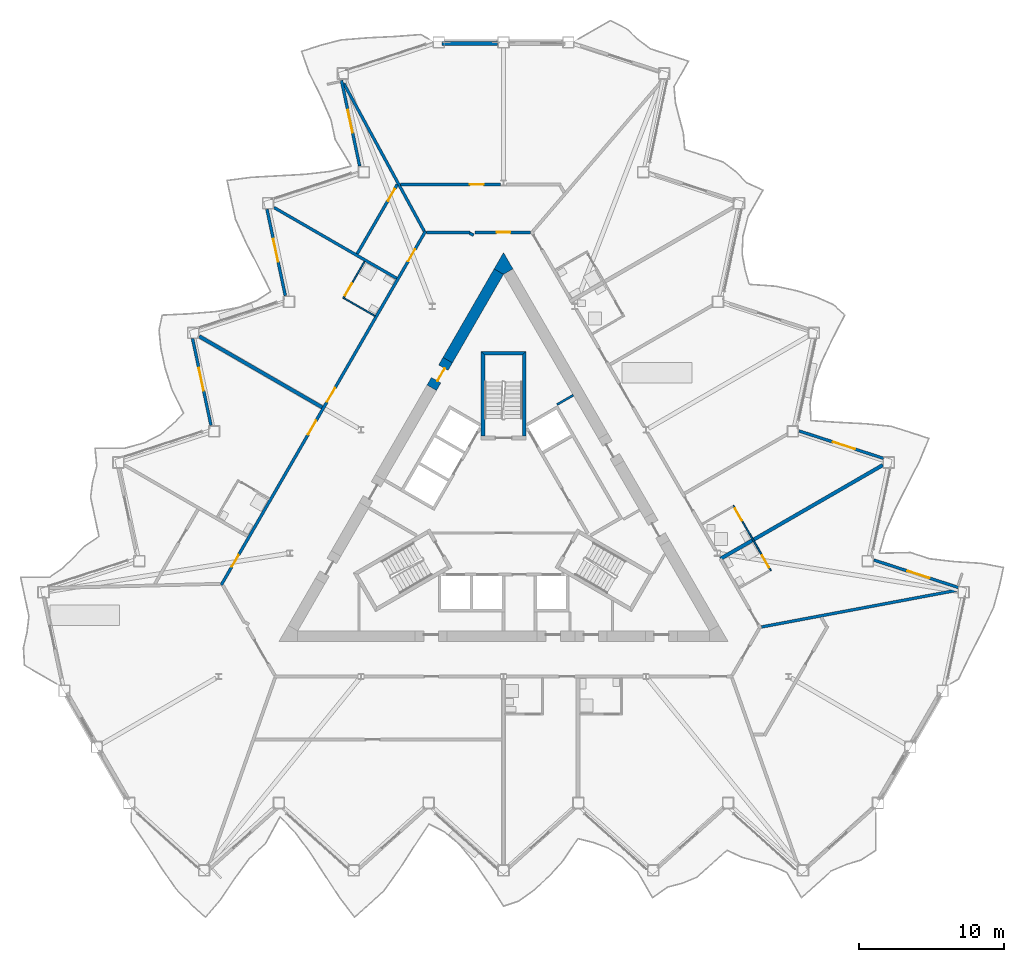
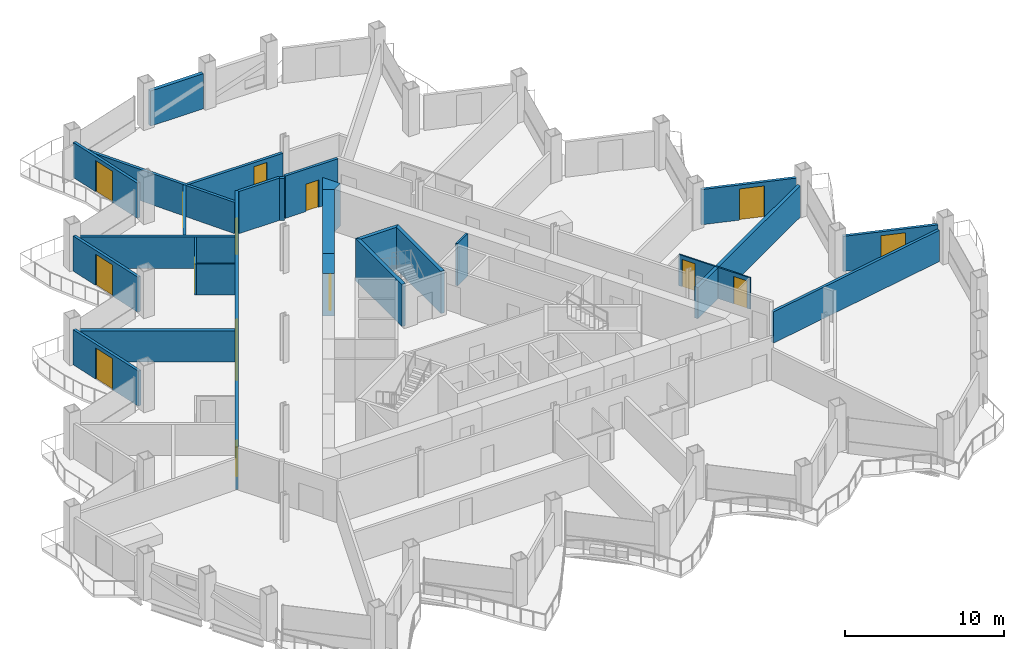
# One storey, part 13 of 22: 27 walls, 16 doors, 16 openings.
"""IFC4 building model written with IfcOpenShell, lengths in metres."""

from ifc_helpers import new_model, si_unit, direction, frame, frame_2d, origin, place, context, subcontext, project, spatial, polyline, rectangle, outline, extrude, material, layer, layer_set, type_object, element, fill, save


model = new_model("IFC4")

# Units and contexts
model_context = context("Model", 3, precision=1e-05, world=origin(), true_north=direction((0.0, 1.0)))
body_context = subcontext(model_context, "Body", "Model", "MODEL_VIEW")
ifc_project = project(units=[si_unit("LENGTHUNIT", "METRE"), si_unit("AREAUNIT", "SQUARE_METRE"), si_unit("VOLUMEUNIT", "CUBIC_METRE"), si_unit("PLANEANGLEUNIT", "RADIAN"), si_unit("MASSUNIT", "GRAM", prefix="KILO")], contexts=[model_context])

# Site, building, storey
site_placement = place(None, origin())
site = spatial("IfcSite", under=ifc_project, at=site_placement, CompositionType="ELEMENT")
building_placement = place(site_placement, origin())
building = spatial("IfcBuilding", under=site, at=building_placement, Name="Cormorant Prow Tower", CompositionType="ELEMENT")
storey_placement = place(building_placement, frame((0.0, 0.0, 198.0)))
storey = spatial("IfcBuildingStorey", under=building, at=storey_placement, Name="L43", CompositionType="ELEMENT", Elevation=198.0)

# Walls
ifc_material_1 = material(Name="Gypsum board partition")
ifc_layer_1 = layer(ifc_material_1, 0.14990234375)
ifc_layer_set_1 = layer_set([ifc_layer_1], Name="Gypsum board partition")
wall_type_1 = type_object("IfcWallType", Name="Core partition 150", PredefinedType="PARTITIONING", material=ifc_layer_set_1)
wall_1_placement = place(storey_placement, frame((3.693359375, 7.4150390625, 0.0), z_axis=(0.0, 0.0, 1.0), x_axis=(0.866003189247, 0.500038474733, 0.0)))
element("IfcWall", 1, at=wall_1_placement, inside=storey, type_object=wall_type_1, Name="Service room partition", PredefinedType="PARTITIONING", context=body_context, shape_type="SweptSolid", body=[
    extrude(rectangle(XDim=1.29296875, YDim=0.14990234375, at=frame_2d((0.646484375, 0.0))), origin(), (0.0, 0.0, 1.0), 3.25),
])
ifc_material_2 = material(Name="Concrete 8000 psi", Category="concrete")
ifc_layer_2 = layer(ifc_material_2, 0.75)
ifc_layer_set_2 = layer_set([ifc_layer_2], Name="Concrete 8000 psi")
wall_type_2 = type_object("IfcWallType", Name="Core shear wall 750", PredefinedType="SHEAR", material=ifc_layer_set_2)
wall_2_placement = place(storey_placement, frame((-0.32470703125, 16.58544921875, 0.0), z_axis=(0.0, 0.0, 1.0), x_axis=(-0.500012199891, -0.86601836006, 0.0)))
element("IfcWall", 2, at=wall_2_placement, inside=storey, type_object=wall_type_2, Name="Core wall", PredefinedType="SHEAR", context=body_context, shape_type="SweptSolid", body=[
    extrude(rectangle(XDim=7.050537109375, YDim=0.75, at=frame_2d((3.525390625, 0.0))), origin(), (0.0, 0.0, 1.0), 3.25),
])
wall_3_placement = place(storey_placement, origin())
element("IfcWall", 3, at=wall_3_placement, inside=storey, type_object=wall_type_2, Name="Core wall corner", PredefinedType="SHEAR", context=body_context, shape_type="SweptSolid", body=[
    extrude(outline(polyline([(-0.6494140625, 16.77294921875), (0.0, 17.89794921875), (0.6494140625, 16.77294921875), (0.0, 16.39794921875), (-0.6494140625, 16.77294921875)])), origin(), (0.0, 0.0, 1.0), 3.25),
])

# Wall, opening, door
wall_4_placement = place(storey_placement, frame((-3.85009765625, 10.4794921875, 0.0), z_axis=(0.0, 0.0, 1.0), x_axis=(-0.499946605688, -0.86605622881, 0.0)))
wall_4 = element("IfcWall", 4, at=wall_4_placement, inside=storey, type_object=wall_type_2, Name="Core wall door panel", PredefinedType="SHEAR", context=body_context, shape_type="SweptSolid", body=[
    extrude(rectangle(XDim=2.199951171875, YDim=0.75, at=frame_2d((1.10009765625, 0.0))), origin(), (0.0, 0.0, 1.0), 3.25),
])
opening_1_placement = place(wall_4_placement, frame((0.60009765625, 0.0, 0.0)))
opening_1 = element("IfcOpeningElement", 5, at=opening_1_placement, cuts=wall_4, Name="Opening L43-C19", PredefinedType="OPENING", context=body_context, shape_type="SweptSolid", body=[
    extrude(rectangle(XDim=1.0, YDim=2.10009765625, at=frame_2d((0.5, 1.050048828125))), frame((0.0, 0.385009765625, 0.0), z_axis=(0.0, -1.0, 0.0), x_axis=(1.0, 0.0, 0.0)), (0.0, 0.0, 1.0), 0.77001953125),
])
ifc_material_3 = material(Name="Painted steel", Category="steel")
door_type_1 = type_object("IfcDoorType", Name="Service door 1000x2100", OperationType="NOTDEFINED", PredefinedType="DOOR", material=ifc_material_3)
door_1_placement = place(opening_1_placement, origin())
door_1 = element("IfcDoor", 6, at=door_1_placement, inside=storey, type_object=door_type_1, Name="Core door, Electrical room", OperationType="SINGLE_SWING_LEFT", OverallHeight=2.10009765625, OverallWidth=1.0, PredefinedType="DOOR", context=body_context, shape_type="SweptSolid", body=[
    extrude(rectangle(XDim=1.0, YDim=2.10009765625, at=frame_2d((0.5, 1.050048828125))), frame((0.0, 0.1298828125, 0.0), z_axis=(0.0, -1.0, 0.0), x_axis=(1.0, 0.0, 0.0)), (0.0, 0.0, 1.0), 0.050048828125),
])
fill(opening_1, door_1)

# Wall, openings, doors
ifc_material_4 = material(Name="Gypsum board corridor wall")
ifc_layer_3 = layer(ifc_material_4, 0.199951171875)
ifc_layer_set_3 = layer_set([ifc_layer_3], Name="Gypsum board corridor wall")
wall_type_3 = type_object("IfcWallType", Name="Corridor wall 200", PredefinedType="PARTITIONING", material=ifc_layer_set_3)
wall_5_placement = place(storey_placement, frame((-19.47607421875, -5.035400390625, 0.0), z_axis=(0.0, 0.0, 1.0), x_axis=(0.500000757641, 0.86602496636, 0.0)))
wall_5 = element("IfcWall", 7, at=wall_5_placement, inside=storey, type_object=wall_type_3, Name="Corridor wall", PredefinedType="PARTITIONING", context=body_context, shape_type="SweptSolid", body=[
    extrude(rectangle(XDim=28.19775390625, YDim=0.199951171875, at=frame_2d((14.098876953125, 0.0))), origin(), (0.0, 0.0, 1.0), 3.25),
])
opening_2_placement = place(wall_5_placement, frame((25.795654296875, 0.0, 0.0)))
opening_2 = element("IfcOpeningElement", 8, at=opening_2_placement, cuts=wall_5, Name="Opening L43-F20", PredefinedType="OPENING", context=body_context, shape_type="SweptSolid", body=[
    extrude(rectangle(XDim=0.949951171875, YDim=2.10009765625, at=frame_2d((0.47509765625, 1.050048828125))), frame((0.0, 0.10986328125, 0.0), z_axis=(0.0, -1.0, 0.0), x_axis=(1.0, 0.0, 0.0)), (0.0, 0.0, 1.0), 0.219970703125),
])
opening_3_placement = place(wall_5_placement, frame((14.602783203125, 0.0, 0.0)))
opening_3 = element("IfcOpeningElement", 9, at=opening_3_placement, cuts=wall_5, Name="Opening L43-F22", PredefinedType="OPENING", context=body_context, shape_type="SweptSolid", body=[
    extrude(rectangle(XDim=1.10009765625, YDim=2.10009765625, at=frame_2d((0.550048828125, 1.050048828125))), frame((0.0, 0.10986328125, 0.0), z_axis=(0.0, -1.0, 0.0), x_axis=(1.0, 0.0, 0.0)), (0.0, 0.0, 1.0), 0.219970703125),
])
opening_4_placement = place(wall_5_placement, frame((11.9931640625, 0.0, 0.0)))
opening_4 = element("IfcOpeningElement", 10, at=opening_4_placement, cuts=wall_5, Name="Opening L43-F24", PredefinedType="OPENING", context=body_context, shape_type="SweptSolid", body=[
    extrude(rectangle(XDim=1.10009765625, YDim=2.10009765625, at=frame_2d((0.550048828125, 1.050048828125))), frame((0.0, 0.10986328125, 0.0), z_axis=(0.0, -1.0, 0.0), x_axis=(1.0, 0.0, 0.0)), (0.0, 0.0, 1.0), 0.219970703125),
])
opening_5_placement = place(wall_5_placement, frame((1.4521484375, 0.0, 0.0)))
opening_5 = element("IfcOpeningElement", 11, at=opening_5_placement, cuts=wall_5, Name="Opening L43-F26", PredefinedType="OPENING", context=body_context, shape_type="SweptSolid", body=[
    extrude(rectangle(XDim=0.949951171875, YDim=2.10009765625, at=frame_2d((0.47509765625, 1.050048828125))), frame((0.0, 0.10986328125, 0.0), z_axis=(0.0, -1.0, 0.0), x_axis=(1.0, 0.0, 0.0)), (0.0, 0.0, 1.0), 0.219970703125),
])
ifc_material_5 = material(Name="Timber door leaf", Category="wood")
door_type_2 = type_object("IfcDoorType", Name="Store door 950x2100", OperationType="NOTDEFINED", PredefinedType="DOOR", material=ifc_material_5)
door_2_placement = place(opening_2_placement, origin())
door_2 = element("IfcDoor", 12, at=door_2_placement, inside=storey, type_object=door_type_2, Name="Ice and vending room door", OperationType="SINGLE_SWING_LEFT", OverallHeight=2.10009765625, OverallWidth=0.949951171875, PredefinedType="DOOR", context=body_context, shape_type="SweptSolid", body=[
    extrude(rectangle(XDim=0.949951171875, YDim=2.10009765625, at=frame_2d((0.47509765625, 1.050048828125))), frame((0.0, 0.02490234375, 0.0), z_axis=(0.0, -1.0, 0.0), x_axis=(1.0, 0.0, 0.0)), (0.0, 0.0, 1.0), 0.050048828125),
])
fill(opening_2, door_2)
door_3_placement = place(opening_5_placement, origin())
door_3 = element("IfcDoor", 13, at=door_3_placement, inside=storey, type_object=door_type_2, Name="Ice and vending room door", OperationType="SINGLE_SWING_RIGHT", OverallHeight=2.10009765625, OverallWidth=0.949951171875, PredefinedType="DOOR", context=body_context, shape_type="SweptSolid", body=[
    extrude(rectangle(XDim=0.949951171875, YDim=2.10009765625, at=frame_2d((0.47509765625, 1.050048828125))), frame((0.0, 0.02490234375, 0.0), z_axis=(0.0, -1.0, 0.0), x_axis=(1.0, 0.0, 0.0)), (0.0, 0.0, 1.0), 0.050048828125),
])
fill(opening_5, door_3)
ifc_material_6 = material(Name="Timber door leaf", Category="wood")
door_type_3 = type_object("IfcDoorType", Name="Suite entrance door 1100x2100", OperationType="NOTDEFINED", PredefinedType="DOOR", material=ifc_material_6)
door_4_placement = place(opening_3_placement, origin())
door_4 = element("IfcDoor", 14, at=door_4_placement, inside=storey, type_object=door_type_3, Name="Junior suite door", OperationType="SINGLE_SWING_LEFT", OverallHeight=2.10009765625, OverallWidth=1.10009765625, PredefinedType="DOOR", context=body_context, shape_type="SweptSolid", body=[
    extrude(rectangle(XDim=1.10009765625, YDim=2.10009765625, at=frame_2d((0.550048828125, 1.050048828125))), frame((0.0, 0.02490234375, 0.0), z_axis=(0.0, -1.0, 0.0), x_axis=(1.0, 0.0, 0.0)), (0.0, 0.0, 1.0), 0.050048828125),
])
fill(opening_3, door_4)
door_5_placement = place(opening_4_placement, origin())
door_5 = element("IfcDoor", 15, at=door_5_placement, inside=storey, type_object=door_type_3, Name="Junior suite door", OperationType="SINGLE_SWING_RIGHT", OverallHeight=2.10009765625, OverallWidth=1.10009765625, PredefinedType="DOOR", context=body_context, shape_type="SweptSolid", body=[
    extrude(rectangle(XDim=1.10009765625, YDim=2.10009765625, at=frame_2d((0.550048828125, 1.050048828125))), frame((0.0, 0.02490234375, 0.0), z_axis=(0.0, -1.0, 0.0), x_axis=(1.0, 0.0, 0.0)), (0.0, 0.0, 1.0), 0.050048828125),
])
fill(opening_4, door_5)

# Wall, opening, door
wall_6_placement = place(storey_placement, frame((-1.962890625, 19.2978515625, 0.0), z_axis=(0.0, 0.0, 1.0), x_axis=(1.0, 0.0, 0.0)))
wall_6 = element("IfcWall", 16, at=wall_6_placement, inside=storey, type_object=wall_type_3, Name="Corridor wall", PredefinedType="PARTITIONING", context=body_context, shape_type="SweptSolid", body=[
    extrude(rectangle(XDim=3.825927734375, YDim=0.199951171875, at=frame_2d((1.9130859375, 0.0))), origin(), (0.0, 0.0, 1.0), 3.25),
])
opening_6_placement = place(wall_6_placement, frame((1.48974609375, 0.0, 0.0)))
opening_6 = element("IfcOpeningElement", 17, at=opening_6_placement, cuts=wall_6, Name="Opening L43-F18", PredefinedType="OPENING", context=body_context, shape_type="SweptSolid", body=[
    extrude(rectangle(XDim=0.949951171875, YDim=2.10009765625, at=frame_2d((0.47509765625, 1.050048828125))), frame((0.0, 0.10986328125, 0.0), z_axis=(0.0, -1.0, 0.0), x_axis=(1.0, 0.0, 0.0)), (0.0, 0.0, 1.0), 0.219970703125),
])
door_6_placement = place(opening_6_placement, origin())
door_6 = element("IfcDoor", 18, at=door_6_placement, inside=storey, type_object=door_type_2, Name="Housekeeping room door", OperationType="SINGLE_SWING_RIGHT", OverallHeight=2.10009765625, OverallWidth=0.949951171875, PredefinedType="DOOR", context=body_context, shape_type="SweptSolid", body=[
    extrude(rectangle(XDim=0.949951171875, YDim=2.10009765625, at=frame_2d((0.47509765625, 1.050048828125))), frame((0.0, 0.02490234375, 0.0), z_axis=(0.0, -1.0, 0.0), x_axis=(1.0, 0.0, 0.0)), (0.0, 0.0, 1.0), 0.050048828125),
])
fill(opening_6, door_6)

# Walls
wall_7_placement = place(storey_placement, frame((-5.3271484375, 19.2978515625, 0.0), z_axis=(0.0, 0.0, 1.0), x_axis=(1.0, 0.0, 0.0)))
element("IfcWall", 19, at=wall_7_placement, inside=storey, type_object=wall_type_3, Name="Corridor wall", PredefinedType="PARTITIONING", context=body_context, shape_type="SweptSolid", body=[
    extrude(rectangle(XDim=3.002197265625, YDim=0.199951171875, at=frame_2d((1.5009765625, 0.0))), origin(), (0.0, 0.0, 1.0), 3.25),
])
wall_8_placement = place(storey_placement, frame((-2.33837890625, 19.247802734375, 0.0), z_axis=(0.0, 0.0, 1.0), x_axis=(0.866395311824, -0.499358752451, 0.0)))
element("IfcWall", 20, at=wall_8_placement, inside=storey, type_object=wall_type_3, Name="Corridor wall", PredefinedType="PARTITIONING", context=body_context, shape_type="SweptSolid", body=[
    extrude(rectangle(XDim=0.31005859375, YDim=0.199951171875, at=frame_2d((0.155029296875, 0.0))), origin(), (0.0, 0.0, 1.0), 3.25),
])
ifc_material_7 = material(Name="Gypsum board demising wall")
ifc_layer_4 = layer(ifc_material_7, 0.199951171875)
ifc_layer_set_4 = layer_set([ifc_layer_4], Name="Gypsum board demising wall")
wall_type_4 = type_object("IfcWallType", Name="Demising wall 200", PredefinedType="PARTITIONING", material=ifc_layer_set_4)
wall_9_placement = place(storey_placement, frame((17.792236328125, -7.930419921875, 0.0), z_axis=(0.0, 0.0, 1.0), x_axis=(0.982805703999, 0.184642758284, 0.0)))
element("IfcWall", 21, at=wall_9_placement, inside=storey, type_object=wall_type_4, Name="Demising wall", PredefinedType="PARTITIONING", context=body_context, shape_type="SweptSolid", body=[
    extrude(rectangle(XDim=13.773681640625, YDim=0.199951171875, at=frame_2d((6.88671875, 0.0))), origin(), (0.0, 0.0, 1.0), 2.404296875),
])
wall_10_placement = place(storey_placement, frame((-11.020751953125, 29.569580078125, 0.0), z_axis=(0.0, 0.0, 1.0), x_axis=(0.478233946204, -0.878232482147, 0.0)))
element("IfcWall", 22, at=wall_10_placement, inside=storey, type_object=wall_type_4, Name="Demising wall", PredefinedType="PARTITIONING", context=body_context, shape_type="SweptSolid", body=[
    extrude(rectangle(XDim=11.59619140625, YDim=0.199951171875, at=frame_2d((5.798095703125, 0.0))), origin(), (0.0, 0.0, 1.0), 2.404296875),
])
wall_11_placement = place(storey_placement, frame((-15.834716796875, 21.009033203125, 0.0), z_axis=(0.0, 0.0, 1.0), x_axis=(0.866024525919, -0.500001520505, 0.0)))
element("IfcWall", 23, at=wall_11_placement, inside=storey, type_object=wall_type_4, Name="Demising wall", PredefinedType="PARTITIONING", context=body_context, shape_type="SweptSolid", body=[
    extrude(rectangle(XDim=9.76904296875, YDim=0.199951171875, at=frame_2d((4.884521484375, 0.0))), origin(), (0.0, 0.0, 1.0), 2.404296875),
])

# Wall, opening, door
wall_12_placement = place(storey_placement, frame((-7.124267578125, 22.597900390625, 0.0), z_axis=(0.0, 0.0, 1.0), x_axis=(1.0, 0.0, 0.0)))
wall_12 = element("IfcWall", 24, at=wall_12_placement, inside=storey, type_object=wall_type_4, Name="Demising wall", PredefinedType="PARTITIONING", context=body_context, shape_type="SweptSolid", body=[
    extrude(rectangle(XDim=6.91064453125, YDim=0.199951171875, at=frame_2d((3.455322265625, 0.0))), origin(), (0.0, 0.0, 1.0), 2.404296875),
])
opening_7_placement = place(wall_12_placement, frame((4.800537109375, 0.0, 0.0)))
opening_7 = element("IfcOpeningElement", 25, at=opening_7_placement, cuts=wall_12, Name="Opening L43-F19", PredefinedType="OPENING", context=body_context, shape_type="SweptSolid", body=[
    extrude(rectangle(XDim=0.949951171875, YDim=2.10009765625, at=frame_2d((0.47509765625, 1.050048828125))), frame((0.0, 0.10986328125, 0.0), z_axis=(0.0, -1.0, 0.0), x_axis=(1.0, 0.0, 0.0)), (0.0, 0.0, 1.0), 0.219970703125),
])
door_7_placement = place(opening_7_placement, origin())
door_7 = element("IfcDoor", 26, at=door_7_placement, inside=storey, type_object=door_type_2, Name="Ice and vending room door", OperationType="SINGLE_SWING_RIGHT", OverallHeight=2.10009765625, OverallWidth=0.949951171875, PredefinedType="DOOR", context=body_context, shape_type="SweptSolid", body=[
    extrude(rectangle(XDim=0.949951171875, YDim=2.10009765625, at=frame_2d((0.47509765625, 1.050048828125))), frame((0.0, 0.02490234375, 0.0), z_axis=(0.0, -1.0, 0.0), x_axis=(1.0, 0.0, 0.0)), (0.0, 0.0, 1.0), 0.050048828125),
])
fill(opening_7, door_7)

wall_13_placement = place(storey_placement, frame((-10.095947265625, 17.811279296875, 0.0), z_axis=(0.0, 0.0, 1.0), x_axis=(0.500015590807, 0.866016402241, 0.0)))
wall_13 = element("IfcWall", 27, at=wall_13_placement, inside=storey, type_object=wall_type_4, Name="Demising wall", PredefinedType="PARTITIONING", context=body_context, shape_type="SweptSolid", body=[
    extrude(rectangle(XDim=5.527099609375, YDim=0.199951171875, at=frame_2d((2.763671875, 0.0))), origin(), (0.0, 0.0, 1.0), 2.404296875),
])
opening_8_placement = place(wall_13_placement, frame((4.22509765625, 0.0, 0.0)))
opening_8 = element("IfcOpeningElement", 28, at=opening_8_placement, cuts=wall_13, Name="Opening L43-F21", PredefinedType="OPENING", context=body_context, shape_type="SweptSolid", body=[
    extrude(rectangle(XDim=0.949951171875, YDim=2.10009765625, at=frame_2d((0.47509765625, 1.050048828125))), frame((0.0, 0.10986328125, 0.0), z_axis=(0.0, -1.0, 0.0), x_axis=(1.0, 0.0, 0.0)), (0.0, 0.0, 1.0), 0.219970703125),
])
door_8_placement = place(opening_8_placement, origin())
door_8 = element("IfcDoor", 29, at=door_8_placement, inside=storey, type_object=door_type_2, Name="Service store door", OperationType="SINGLE_SWING_RIGHT", OverallHeight=2.10009765625, OverallWidth=0.949951171875, PredefinedType="DOOR", context=body_context, shape_type="SweptSolid", body=[
    extrude(rectangle(XDim=0.949951171875, YDim=2.10009765625, at=frame_2d((0.47509765625, 1.050048828125))), frame((0.0, 0.02490234375, 0.0), z_axis=(0.0, -1.0, 0.0), x_axis=(1.0, 0.0, 0.0)), (0.0, 0.0, 1.0), 0.050048828125),
])
fill(opening_8, door_8)

# Wall, openings, doors
ifc_material_8 = material(Name="Gypsum board partition")
ifc_layer_5 = layer(ifc_material_8, 0.10009765625)
ifc_layer_set_5 = layer_set([ifc_layer_5], Name="Gypsum board partition")
wall_type_5 = type_object("IfcWallType", Name="Internal partition 100", PredefinedType="PARTITIONING", material=ifc_layer_set_5)
wall_14_placement = place(storey_placement, frame((15.843505859375, 0.455810546875, 0.0), z_axis=(0.0, 0.0, 1.0), x_axis=(0.500006934395, -0.866021400173, 0.0)))
wall_14 = element("IfcWall", 30, at=wall_14_placement, inside=storey, type_object=wall_type_5, Name="Internal partition", PredefinedType="PARTITIONING", context=body_context, shape_type="SweptSolid", body=[
    extrude(rectangle(XDim=5.2001953125, YDim=0.10009765625, at=frame_2d((2.60009765625, 0.0))), origin(), (0.0, 0.0, 1.0), 2.404296875),
])
opening_9_placement = place(wall_14_placement, frame((4.0, 0.0, 0.0)))
opening_9 = element("IfcOpeningElement", 31, at=opening_9_placement, cuts=wall_14, Name="Opening L43-F10", PredefinedType="OPENING", context=body_context, shape_type="SweptSolid", body=[
    extrude(rectangle(XDim=0.949951171875, YDim=2.10009765625, at=frame_2d((0.47509765625, 1.050048828125))), frame((0.0, 0.06005859375, 0.0), z_axis=(0.0, -1.0, 0.0), x_axis=(1.0, 0.0, 0.0)), (0.0, 0.0, 1.0), 0.1201171875),
])
opening_10_placement = place(wall_14_placement, frame((0.25, 0.0, 0.0)))
opening_10 = element("IfcOpeningElement", 32, at=opening_10_placement, cuts=wall_14, Name="Opening L43-F12", PredefinedType="OPENING", context=body_context, shape_type="SweptSolid", body=[
    extrude(rectangle(XDim=0.949951171875, YDim=2.10009765625, at=frame_2d((0.47509765625, 1.050048828125))), frame((0.0, 0.06005859375, 0.0), z_axis=(0.0, -1.0, 0.0), x_axis=(1.0, 0.0, 0.0)), (0.0, 0.0, 1.0), 0.1201171875),
])
ifc_material_9 = material(Name="Timber door leaf", Category="wood")
door_type_4 = type_object("IfcDoorType", Name="Bathroom door 950x2100", OperationType="NOTDEFINED", PredefinedType="DOOR", material=ifc_material_9)
door_9_placement = place(opening_9_placement, origin())
door_9 = element("IfcDoor", 33, at=door_9_placement, inside=storey, type_object=door_type_4, Name="Junior suite door", OperationType="SINGLE_SWING_RIGHT", OverallHeight=2.10009765625, OverallWidth=0.949951171875, PredefinedType="DOOR", context=body_context, shape_type="SweptSolid", body=[
    extrude(rectangle(XDim=0.949951171875, YDim=2.10009765625, at=frame_2d((0.47509765625, 1.050048828125))), frame((0.0, 0.02490234375, 0.0), z_axis=(0.0, -1.0, 0.0), x_axis=(1.0, 0.0, 0.0)), (0.0, 0.0, 1.0), 0.050048828125),
])
fill(opening_9, door_9)
door_10_placement = place(opening_10_placement, origin())
door_10 = element("IfcDoor", 34, at=door_10_placement, inside=storey, type_object=door_type_4, Name="Guest room door", OperationType="SINGLE_SWING_LEFT", OverallHeight=2.10009765625, OverallWidth=0.949951171875, PredefinedType="DOOR", context=body_context, shape_type="SweptSolid", body=[
    extrude(rectangle(XDim=0.949951171875, YDim=2.10009765625, at=frame_2d((0.47509765625, 1.050048828125))), frame((0.0, 0.02490234375, 0.0), z_axis=(0.0, -1.0, 0.0), x_axis=(1.0, 0.0, 0.0)), (0.0, 0.0, 1.0), 0.050048828125),
])
fill(opening_10, door_10)

# Wall, opening, door
wall_15_placement = place(storey_placement, frame((-11.064697265625, 14.7333984375, 0.0), z_axis=(0.0, 0.0, 1.0), x_axis=(0.500037662692, 0.866003658127, 0.0)))
wall_15 = element("IfcWall", 35, at=wall_15_placement, inside=storey, type_object=wall_type_5, Name="Internal partition", PredefinedType="PARTITIONING", context=body_context, shape_type="SweptSolid", body=[
    extrude(rectangle(XDim=2.949951171875, YDim=0.10009765625, at=frame_2d((1.47509765625, 0.0))), origin(), (0.0, 0.0, 1.0), 2.404296875),
])
opening_11_placement = place(wall_15_placement, frame((0.25, 0.0, 0.0)))
opening_11 = element("IfcOpeningElement", 36, at=opening_11_placement, cuts=wall_15, Name="Opening L43-F23", PredefinedType="OPENING", context=body_context, shape_type="SweptSolid", body=[
    extrude(rectangle(XDim=0.949951171875, YDim=2.10009765625, at=frame_2d((0.47509765625, 1.050048828125))), frame((0.0, 0.06005859375, 0.0), z_axis=(0.0, -1.0, 0.0), x_axis=(1.0, 0.0, 0.0)), (0.0, 0.0, 1.0), 0.1201171875),
])
door_11_placement = place(opening_11_placement, origin())
door_11 = element("IfcDoor", 37, at=door_11_placement, inside=storey, type_object=door_type_4, Name="Junior suite door", OperationType="SINGLE_SWING_LEFT", OverallHeight=2.10009765625, OverallWidth=0.949951171875, PredefinedType="DOOR", context=body_context, shape_type="SweptSolid", body=[
    extrude(rectangle(XDim=0.949951171875, YDim=2.10009765625, at=frame_2d((0.47509765625, 1.050048828125))), frame((0.0, 0.02490234375, 0.0), z_axis=(0.0, -1.0, 0.0), x_axis=(1.0, 0.0, 0.0)), (0.0, 0.0, 1.0), 0.050048828125),
])
fill(opening_11, door_11)

# Walls
wall_16_placement = place(storey_placement, frame((-10.996337890625, 14.751708984375, 0.0), z_axis=(0.0, 0.0, 1.0), x_axis=(0.866014668023, -0.500018594424, 0.0)))
element("IfcWall", 38, at=wall_16_placement, inside=storey, type_object=wall_type_5, Name="Internal partition", PredefinedType="PARTITIONING", context=body_context, shape_type="SweptSolid", body=[
    extrude(rectangle(XDim=2.4501953125, YDim=0.10009765625, at=frame_2d((1.22509765625, 0.0))), origin(), (0.0, 0.0, 1.0), 2.404296875),
])
ifc_material_10 = material(Name="Concrete 8000 psi", Category="concrete")
ifc_layer_6 = layer(ifc_material_10, 0.25)
ifc_layer_set_6 = layer_set([ifc_layer_6], Name="Concrete 8000 psi")
wall_type_6 = type_object("IfcWallType", Name="Stair wall 250", PredefinedType="SHEAR", material=ifc_layer_set_6)
wall_17_placement = place(storey_placement, origin())
element("IfcWall", 39, at=wall_17_placement, inside=storey, type_object=wall_type_6, Name="Stair ST3 enclosure wall (flank)", PredefinedType="SHEAR", context=body_context, shape_type="SweptSolid", body=[
    extrude(outline(polyline([(1.5439453125, 5.23681640625), (1.5439453125, 11.0869140625), (1.2939453125, 10.8369140625), (1.2939453125, 5.23681640625), (1.5439453125, 5.23681640625)])), origin(), (0.0, 0.0, 1.0), 3.25),
])
wall_18_placement = place(storey_placement, origin())
element("IfcWall", 40, at=wall_18_placement, inside=storey, type_object=wall_type_6, Name="Stair ST3 enclosure wall (end)", PredefinedType="SHEAR", context=body_context, shape_type="SweptSolid", body=[
    extrude(outline(polyline([(1.5439453125, 11.0869140625), (-1.5439453125, 11.0869140625), (-1.2939453125, 10.8369140625), (1.2939453125, 10.8369140625), (1.5439453125, 11.0869140625)])), origin(), (0.0, 0.0, 1.0), 3.25),
])
wall_19_placement = place(storey_placement, origin())
element("IfcWall", 41, at=wall_19_placement, inside=storey, type_object=wall_type_6, Name="Stair ST3 enclosure wall (flank)", PredefinedType="SHEAR", context=body_context, shape_type="SweptSolid", body=[
    extrude(outline(polyline([(-1.2939453125, 10.8369140625), (-1.5439453125, 11.0869140625), (-1.5439453125, 5.23681640625), (-1.2939453125, 5.23681640625), (-1.2939453125, 10.8369140625)])), origin(), (0.0, 0.0, 1.0), 3.25),
])
ifc_material_11 = material(Name="Acoustic gypsum party wall")
ifc_layer_7 = layer(ifc_material_11, 0.25)
ifc_layer_set_7 = layer_set([ifc_layer_7], Name="Acoustic gypsum party wall")
wall_type_7 = type_object("IfcWallType", Name="Suite party wall 250", PredefinedType="PARTITIONING", material=ifc_layer_set_7)
wall_20_placement = place(storey_placement, frame((14.967041015625, -3.2255859375, 0.0), z_axis=(0.0, 0.0, 1.0), x_axis=(0.866030250269, 0.499991605548, 0.0)))
element("IfcWall", 42, at=wall_20_placement, inside=storey, type_object=wall_type_7, Name="Suite party wall", PredefinedType="PARTITIONING", context=body_context, shape_type="SweptSolid", body=[
    extrude(rectangle(XDim=12.929443359375, YDim=0.25, at=frame_2d((6.46484375, 0.0))), origin(), (0.0, 0.0, 1.0), 2.404296875),
])
wall_21_placement = place(storey_placement, frame((-20.99951171875, 12.1240234375, 0.0), z_axis=(0.0, 0.0, 1.0), x_axis=(0.866032905446, -0.499987006516, 0.0)))
element("IfcWall", 43, at=wall_21_placement, inside=storey, type_object=wall_type_7, Name="Suite party wall", PredefinedType="PARTITIONING", context=body_context, shape_type="SweptSolid", body=[
    extrude(rectangle(XDim=9.799072265625, YDim=0.25, at=frame_2d((4.8994140625, 0.0))), origin(), (0.0, 0.0, 1.0), 2.404296875),
])
ifc_material_12 = material(Name="Terracotta", Category="masonry")
ifc_layer_8 = layer(ifc_material_12, 0.25)
ifc_layer_set_8 = layer_set([ifc_layer_8], Name="Terracotta")
wall_type_8 = type_object("IfcWallType", Name="Terracotta bay wall 250", PredefinedType="SOLIDWALL", material=ifc_layer_set_8)
wall_22_placement = place(storey_placement, frame((-0.39990234375, 32.324951171875, 0.0), z_axis=(0.0, 0.0, 1.0), x_axis=(-1.0, 0.0, 0.0)))
element("IfcWall", 44, at=wall_22_placement, inside=storey, type_object=wall_type_8, Name="Terracotta bay wall N01", PredefinedType="SOLIDWALL", context=body_context, shape_type="SweptSolid", body=[
    extrude(rectangle(XDim=3.851806640625, YDim=0.25, at=frame_2d((1.92578125, 0.0))), origin(), (0.0, 0.0, 1.0), 2.700927734375),
])

# Wall, opening, door
ifc_material_13 = material(Name="Terracotta", Category="masonry")
ifc_layer_9 = layer(ifc_material_13, 0.199951171875)
ifc_layer_set_9 = layer_set([ifc_layer_9], Name="Terracotta")
wall_type_9 = type_object("IfcWallType", Name="Terracotta jamb wall 200", PredefinedType="SOLIDWALL", material=ifc_layer_set_9)
wall_23_placement = place(storey_placement, frame((31.37890625, -5.20703125, 0.0), z_axis=(0.0, 0.0, 1.0), x_axis=(-0.951059550827, 0.30900765489, 0.0)))
wall_23 = element("IfcWall", 45, at=wall_23_placement, inside=storey, type_object=wall_type_9, Name="Terracotta jamb wall ENE01", PredefinedType="SOLIDWALL", context=body_context, shape_type="SweptSolid", body=[
    extrude(rectangle(XDim=6.124755859375, YDim=0.199951171875, at=frame_2d((3.0625, 0.0))), origin(), (0.0, 0.0, 1.0), 2.700927734375),
])
opening_12_placement = place(wall_23_placement, frame((2.08935546875, 0.0, 0.0)))
opening_12 = element("IfcOpeningElement", 46, at=opening_12_placement, cuts=wall_23, Name="Opening ED43.06", PredefinedType="OPENING", context=body_context, shape_type="SweptSolid", body=[
    extrude(rectangle(XDim=1.60009765625, YDim=2.39990234375, at=frame_2d((0.800048828125, 1.199951171875))), frame((0.0, 0.10986328125, 0.0), z_axis=(0.0, -1.0, 0.0), x_axis=(1.0, 0.0, 0.0)), (0.0, 0.0, 1.0), 0.219970703125),
])
ifc_material_14 = material(Name="Aluminium 6063-T6", Category="aluminium")
door_type_5 = type_object("IfcDoorType", Name="Balcony door 1600x2400", OperationType="DOUBLE_DOOR_SINGLE_SWING", PredefinedType="DOOR", material=ifc_material_14)
door_12_placement = place(opening_12_placement, origin())
door_12 = element("IfcDoor", 47, at=door_12_placement, inside=storey, type_object=door_type_5, Name="Balcony door ENE01 ED43.06", OperationType="DOUBLE_DOOR_SINGLE_SWING", OverallHeight=2.39990234375, OverallWidth=1.60009765625, PredefinedType="DOOR", context=body_context, shape_type="SweptSolid", body=[
    extrude(rectangle(XDim=1.60009765625, YDim=2.39990234375, at=frame_2d((0.800048828125, 1.199951171875))), frame((0.0, 0.02490234375, 0.0), z_axis=(0.0, -1.0, 0.0), x_axis=(1.0, 0.0, 0.0)), (0.0, 0.0, 1.0), 0.050048828125),
])
fill(opening_12, door_12)

wall_24_placement = place(storey_placement, frame((26.240234375, 3.693115234375, 0.0), z_axis=(0.0, 0.0, 1.0), x_axis=(-0.951053023356, 0.30902774433, 0.0)))
wall_24 = element("IfcWall", 48, at=wall_24_placement, inside=storey, type_object=wall_type_9, Name="Terracotta jamb wall ENE03", PredefinedType="SOLIDWALL", context=body_context, shape_type="SweptSolid", body=[
    extrude(rectangle(XDim=6.15185546875, YDim=0.199951171875, at=frame_2d((3.075927734375, 0.0))), origin(), (0.0, 0.0, 1.0), 2.700927734375),
])
opening_13_placement = place(wall_24_placement, frame((2.08935546875, 0.0, 0.0)))
opening_13 = element("IfcOpeningElement", 49, at=opening_13_placement, cuts=wall_24, Name="Opening ED43.07", PredefinedType="OPENING", context=body_context, shape_type="SweptSolid", body=[
    extrude(rectangle(XDim=1.60009765625, YDim=2.39990234375, at=frame_2d((0.800048828125, 1.199951171875))), frame((0.0, 0.10986328125, 0.0), z_axis=(0.0, -1.0, 0.0), x_axis=(1.0, 0.0, 0.0)), (0.0, 0.0, 1.0), 0.219970703125),
])
door_13_placement = place(opening_13_placement, origin())
door_13 = element("IfcDoor", 50, at=door_13_placement, inside=storey, type_object=door_type_5, Name="Balcony door ENE03 ED43.07", OperationType="DOUBLE_DOOR_SINGLE_SWING", OverallHeight=2.39990234375, OverallWidth=1.60009765625, PredefinedType="DOOR", context=body_context, shape_type="SweptSolid", body=[
    extrude(rectangle(XDim=1.60009765625, YDim=2.39990234375, at=frame_2d((0.800048828125, 1.199951171875))), frame((0.0, 0.02490234375, 0.0), z_axis=(0.0, -1.0, 0.0), x_axis=(1.0, 0.0, 0.0)), (0.0, 0.0, 1.0), 0.050048828125),
])
fill(opening_13, door_13)

wall_25_placement = place(storey_placement, frame((-11.179931640625, 29.7783203125, 0.0), z_axis=(0.0, 0.0, 1.0), x_axis=(0.207894531291, -0.978151247946, 0.0)))
wall_25 = element("IfcWall", 51, at=wall_25_placement, inside=storey, type_object=wall_type_9, Name="Terracotta jamb wall WNW01", PredefinedType="SOLIDWALL", context=body_context, shape_type="SweptSolid", body=[
    extrude(rectangle(XDim=6.039794921875, YDim=0.199951171875, at=frame_2d((3.02001953125, 0.0))), origin(), (0.0, 0.0, 1.0), 2.700927734375),
])
opening_14_placement = place(wall_25_placement, frame((2.08935546875, 0.0, 0.0)))
opening_14 = element("IfcOpeningElement", 52, at=opening_14_placement, cuts=wall_25, Name="Opening ED43.11", PredefinedType="OPENING", context=body_context, shape_type="SweptSolid", body=[
    extrude(rectangle(XDim=1.60009765625, YDim=2.39990234375, at=frame_2d((0.800048828125, 1.199951171875))), frame((0.0, 0.10986328125, 0.0), z_axis=(0.0, -1.0, 0.0), x_axis=(1.0, 0.0, 0.0)), (0.0, 0.0, 1.0), 0.219970703125),
])
door_14_placement = place(opening_14_placement, origin())
door_14 = element("IfcDoor", 53, at=door_14_placement, inside=storey, type_object=door_type_5, Name="Balcony door WNW01 ED43.11", OperationType="DOUBLE_DOOR_SINGLE_SWING", OverallHeight=2.39990234375, OverallWidth=1.60009765625, PredefinedType="DOOR", context=body_context, shape_type="SweptSolid", body=[
    extrude(rectangle(XDim=1.60009765625, YDim=2.39990234375, at=frame_2d((0.800048828125, 1.199951171875))), frame((0.0, 0.02490234375, 0.0), z_axis=(0.0, -1.0, 0.0), x_axis=(1.0, 0.0, 0.0)), (0.0, 0.0, 1.0), 0.050048828125),
])
fill(opening_14, door_14)

wall_26_placement = place(storey_placement, frame((-16.32080078125, 20.8896484375, 0.0), z_axis=(0.0, 0.0, 1.0), x_axis=(0.207912864597, -0.978147351238, 0.0)))
wall_26 = element("IfcWall", 54, at=wall_26_placement, inside=storey, type_object=wall_type_9, Name="Terracotta jamb wall WNW03", PredefinedType="SOLIDWALL", context=body_context, shape_type="SweptSolid", body=[
    extrude(rectangle(XDim=6.097900390625, YDim=0.199951171875, at=frame_2d((3.048828125, 0.0))), origin(), (0.0, 0.0, 1.0), 2.700927734375),
])
opening_15_placement = place(wall_26_placement, frame((2.10107421875, 0.0, 0.0)))
opening_15 = element("IfcOpeningElement", 55, at=opening_15_placement, cuts=wall_26, Name="Opening ED43.12", PredefinedType="OPENING", context=body_context, shape_type="SweptSolid", body=[
    extrude(rectangle(XDim=1.60009765625, YDim=2.39990234375, at=frame_2d((0.800048828125, 1.199951171875))), frame((0.0, 0.10986328125, 0.0), z_axis=(0.0, -1.0, 0.0), x_axis=(1.0, 0.0, 0.0)), (0.0, 0.0, 1.0), 0.219970703125),
])
door_15_placement = place(opening_15_placement, origin())
door_15 = element("IfcDoor", 56, at=door_15_placement, inside=storey, type_object=door_type_5, Name="Balcony door WNW03 ED43.12", OperationType="DOUBLE_DOOR_SINGLE_SWING", OverallHeight=2.39990234375, OverallWidth=1.60009765625, PredefinedType="DOOR", context=body_context, shape_type="SweptSolid", body=[
    extrude(rectangle(XDim=1.60009765625, YDim=2.39990234375, at=frame_2d((0.800048828125, 1.199951171875))), frame((0.0, 0.02490234375, 0.0), z_axis=(0.0, -1.0, 0.0), x_axis=(1.0, 0.0, 0.0)), (0.0, 0.0, 1.0), 0.050048828125),
])
fill(opening_15, door_15)

wall_27_placement = place(storey_placement, frame((-21.45703125, 11.97802734375, 0.0), z_axis=(0.0, 0.0, 1.0), x_axis=(0.207930174887, -0.978143671641, 0.0)))
wall_27 = element("IfcWall", 57, at=wall_27_placement, inside=storey, type_object=wall_type_9, Name="Terracotta jamb wall WNW05", PredefinedType="SOLIDWALL", context=body_context, shape_type="SweptSolid", body=[
    extrude(rectangle(XDim=6.132568359375, YDim=0.199951171875, at=frame_2d((3.06640625, 0.0))), origin(), (0.0, 0.0, 1.0), 2.700927734375),
])
opening_16_placement = place(wall_27_placement, frame((2.08935546875, 0.0, 0.0)))
opening_16 = element("IfcOpeningElement", 58, at=opening_16_placement, cuts=wall_27, Name="Opening ED43.13", PredefinedType="OPENING", context=body_context, shape_type="SweptSolid", body=[
    extrude(rectangle(XDim=1.60009765625, YDim=2.39990234375, at=frame_2d((0.800048828125, 1.199951171875))), frame((0.0, 0.10986328125, 0.0), z_axis=(0.0, -1.0, 0.0), x_axis=(1.0, 0.0, 0.0)), (0.0, 0.0, 1.0), 0.219970703125),
])
door_16_placement = place(opening_16_placement, origin())
door_16 = element("IfcDoor", 59, at=door_16_placement, inside=storey, type_object=door_type_5, Name="Balcony door WNW05 ED43.13", OperationType="DOUBLE_DOOR_SINGLE_SWING", OverallHeight=2.39990234375, OverallWidth=1.60009765625, PredefinedType="DOOR", context=body_context, shape_type="SweptSolid", body=[
    extrude(rectangle(XDim=1.60009765625, YDim=2.39990234375, at=frame_2d((0.800048828125, 1.199951171875))), frame((0.0, 0.02490234375, 0.0), z_axis=(0.0, -1.0, 0.0), x_axis=(1.0, 0.0, 0.0)), (0.0, 0.0, 1.0), 0.050048828125),
])
fill(opening_16, door_16)

save(model, "model.ifc")
